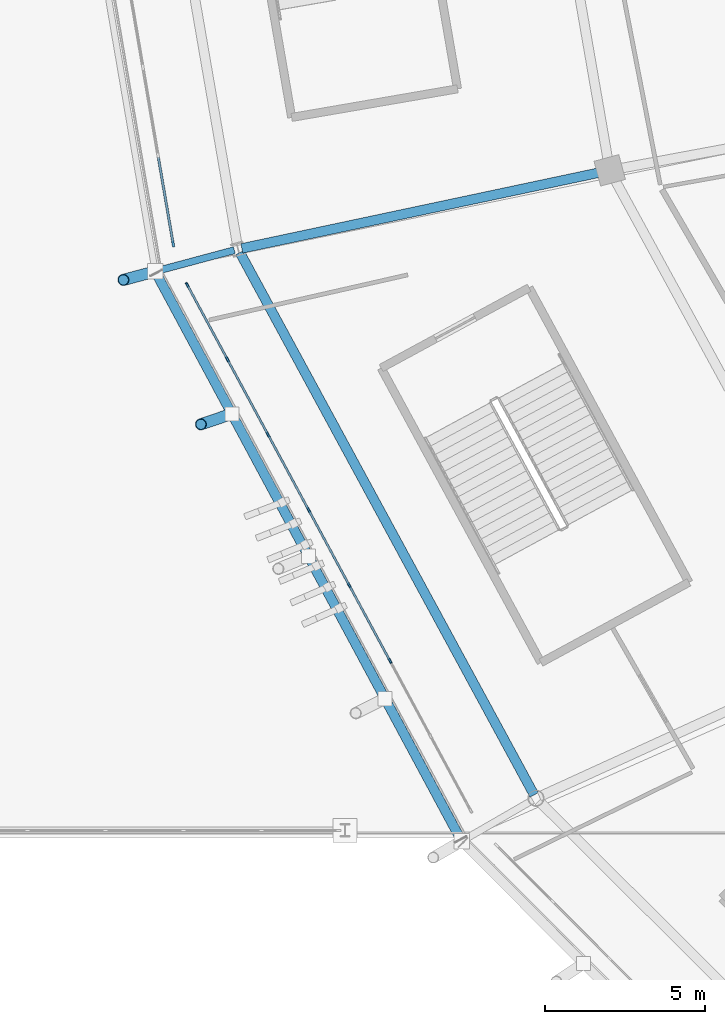
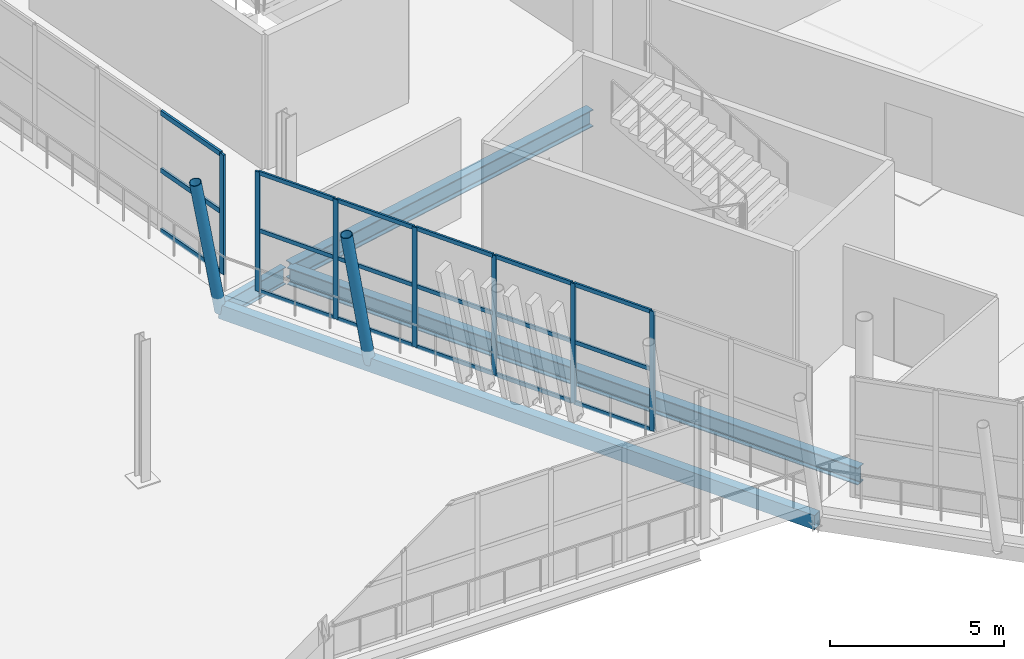
# One storey, part 29 of 179: 27 members, 4 beams, 2 elements without a shape of their own.
"""IFC4 building model written with IfcOpenShell, lengths in metres."""

import ifcopenshell
import ifcopenshell.guid

model = None  # the IFC model being written
_history = None  # IfcOwnerHistory: only IFC2X3 demands one
_inside = {}  # id of a spatial element -> (the spatial element, [elements in it])
_under = {}  # id of a project, library or spatial element -> (it, [spatial elements below it])
_declared = {}  # id of a project -> (the project, [libraries it declares])
_typed = {}  # id of a type object -> (the type object, [elements of that type])
_made_of = {}  # id of a material, layer set ... -> (it, [elements and type objects made of it])


def new_model(schema):
    """Start an empty IFC model of exactly this schema.

    Asked for "IFC4X3", IfcOpenShell would pick the latest addendum, in which some entities
    have other attributes; the version numbers below select the first issue.
    IFC2X3 requires an IfcOwnerHistory on every rooted entity: one is made here for all.
    """
    global model, _history
    if schema == "IFC4X3":
        model = ifcopenshell.file(schema_version=(4, 3, 0, 0))
    else:
        model = ifcopenshell.file(schema=schema)
    _inside.clear()
    _under.clear()
    _declared.clear()
    _typed.clear()
    _made_of.clear()
    _history = None
    if model.schema == "IFC2X3":
        org = make("IfcOrganization", Name="unknown")
        user = make(
            "IfcPersonAndOrganization",
            ThePerson=make("IfcPerson", FamilyName="unknown"),
            TheOrganization=org,
        )
        app = make(
            "IfcApplication",
            ApplicationDeveloper=org,
            Version="unknown",
            ApplicationFullName="unknown",
            ApplicationIdentifier="unknown",
        )
        _history = make(
            "IfcOwnerHistory",
            OwningUser=user,
            OwningApplication=app,
            ChangeAction="ADDED",
            CreationDate=0,
        )
    return model


def make(cls, **values):
    """One entity of the class cls with the attributes given. An attribute that is None is left unset."""
    return model.create_entity(
        cls, **{name: value for name, value in values.items() if value is not None}
    )


def rooted(cls, **values):
    """An entity with a GlobalId (a new one), such as an element, a storey or a relation."""
    return make(cls, GlobalId=ifcopenshell.guid.new(), OwnerHistory=_history, **values)


def si_unit(unit_type, name, prefix=None):
    """IfcSIUnit, for example si_unit("LENGTHUNIT", "METRE", prefix="MILLI")."""
    return make("IfcSIUnit", UnitType=unit_type, Prefix=prefix, Name=name)


def assignment(units):
    """IfcUnitAssignment: the units of a project."""
    return None if units is None else make("IfcUnitAssignment", Units=units)


def point(xyz):
    """IfcCartesianPoint."""
    return None if xyz is None else make("IfcCartesianPoint", Coordinates=xyz)


def direction(xyz):
    """IfcDirection."""
    return None if xyz is None else make("IfcDirection", DirectionRatios=xyz)


def frame(location, z_axis=None, x_axis=None):
    """IfcAxis2Placement3D, a coordinate frame: its origin and axes. An axis left out is left unset."""
    return make(
        "IfcAxis2Placement3D",
        Location=point(location),
        Axis=direction(z_axis),
        RefDirection=direction(x_axis),
    )


def frame_2d(location, x_axis=None):
    """IfcAxis2Placement2D, a coordinate frame in the plane: its origin and x axis."""
    return make(
        "IfcAxis2Placement2D", Location=point(location), RefDirection=direction(x_axis)
    )


def origin():
    """The frame at (0, 0, 0) with its axes left unset."""
    return frame((0.0, 0.0, 0.0))


def origin_2d():
    """The frame at (0, 0) in the plane with its x axis left unset."""
    return frame_2d((0.0, 0.0))


def place(relative_to, where):
    """IfcLocalPlacement: puts the frame where relative to a parent placement (None: the world)."""
    return make(
        "IfcLocalPlacement", PlacementRelTo=relative_to, RelativePlacement=where
    )


def context(
    kind, dimensions, precision=None, world=None, true_north=None, identifier=None
):
    """IfcGeometricRepresentationContext, for example the 3D "Model" context."""
    return make(
        "IfcGeometricRepresentationContext",
        ContextIdentifier=identifier,
        ContextType=kind,
        CoordinateSpaceDimension=dimensions,
        Precision=precision,
        WorldCoordinateSystem=world,
        TrueNorth=true_north,
    )


def subcontext(parent, identifier, kind, view, scale=None):
    """IfcGeometricRepresentationSubContext, for example "Body" below "Model"."""
    return make(
        "IfcGeometricRepresentationSubContext",
        ContextIdentifier=identifier,
        ContextType=kind,
        ParentContext=parent,
        TargetScale=scale,
        TargetView=view,
    )


def project(units=None, contexts=None):
    """IfcProject with its units and contexts."""
    return rooted(
        "IfcProject",
        Name="project",
        RepresentationContexts=contexts,
        UnitsInContext=assignment(units),
    )


def spatial(cls, under=None, at=None, **own):
    """A site, building, storey or space (cls), placed at a placement, below another one or the project."""
    s = rooted(cls, ObjectPlacement=at, **own)
    if under is not None:
        _under.setdefault(under.id(), (under, []))[1].append(s)
    return s


def profile(cls, at=None, kind="AREA", **sizes):
    """A parametric profile (cls). Its sizes go by their IFC names, for example OverallWidth=200.0."""
    return make(cls, ProfileType=kind, Position=at, **sizes)


def rectangle(**sizes):
    """IfcRectangleProfileDef."""
    return profile("IfcRectangleProfileDef", **sizes)


def hollow_rectangle(**sizes):
    """IfcRectangleHollowProfileDef."""
    return profile("IfcRectangleHollowProfileDef", **sizes)


def hollow_circle(**sizes):
    """IfcCircleHollowProfileDef."""
    return profile("IfcCircleHollowProfileDef", **sizes)


def i_section(**sizes):
    """IfcIShapeProfileDef."""
    return profile("IfcIShapeProfileDef", **sizes)


def extrude(swept, where, along, depth):
    """IfcExtrudedAreaSolid: the profile swept, set in the frame where, extruded along a direction by depth."""
    return make(
        "IfcExtrudedAreaSolid",
        SweptArea=swept,
        Position=where,
        ExtrudedDirection=direction(along),
        Depth=depth,
    )


def shape(context_of_items, identifier, shape_type, items):
    """IfcShapeRepresentation: the items that make up one representation, for example the "Body"."""
    return make(
        "IfcShapeRepresentation",
        ContextOfItems=context_of_items,
        RepresentationIdentifier=identifier,
        RepresentationType=shape_type,
        Items=items,
    )


def material(Name=None, Category=None):
    """IfcMaterial."""
    return make("IfcMaterial", Name=Name, Category=Category)


def material_profile(
    of_material, cross_section, Name=None, Category=None, Priority=None
):
    """IfcMaterialProfile: a cross section and its material."""
    return make(
        "IfcMaterialProfile",
        Name=Name,
        Material=of_material,
        Profile=cross_section,
        Priority=Priority,
        Category=Category,
    )


def profile_set(profiles, Name=None, composite=None):
    """IfcMaterialProfileSet."""
    return make(
        "IfcMaterialProfileSet",
        Name=Name,
        MaterialProfiles=profiles,
        CompositeProfile=composite,
    )


def made_of(thing, what):
    """Note that an element or type object is made of a material, layer set ...; save() writes the relation."""
    if what is not None:
        _made_of.setdefault(what.id(), (what, []))[1].append(thing)
    return thing


def type_object(cls, material=None, **own):
    """A type object (cls), such as IfcWallType, which elements share."""
    return made_of(rooted(cls, **own), material)


def element(
    cls,
    number,
    at=None,
    inside=None,
    cuts=None,
    type_object=None,
    material=None,
    context=None,
    identifier="Body",
    shape_type=None,
    held_by="IfcProductDefinitionShape",
    body=None,
    shapes=None,
    **own,
):
    """One element of the class cls, such as IfcWall. Its Tag is "e" and its number.

    at: its placement. inside: the storey or other place that contains it. cuts: it is an
    opening in that element (IfcRelVoidsElement). A single representation is given by context,
    identifier, shape_type and body (its items); several are given by shapes. held_by: the class
    of the entity that holds the representations. save() writes the other relations.
    """
    e = rooted(cls, Tag="e%d" % number, ObjectPlacement=at, **own)
    if body is not None:
        shapes = [shape(context, identifier, shape_type, body)]
    if shapes is not None:
        e.Representation = make(held_by, Representations=shapes)
    if inside is not None:
        _inside.setdefault(inside.id(), (inside, []))[1].append(e)
    if cuts is not None:
        rooted(
            "IfcRelVoidsElement", RelatingBuildingElement=cuts, RelatedOpeningElement=e
        )
    if type_object is not None:
        _typed.setdefault(type_object.id(), (type_object, []))[1].append(e)
    return made_of(e, material)


def aggregate(whole, parts):
    """IfcRelAggregates: a whole, such as a stair, and the parts it consists of."""
    return rooted("IfcRelAggregates", RelatingObject=whole, RelatedObjects=parts)


def save(model, path):
    """Write the relations noted so far, then the file.

    IfcRelAggregates (storeys below a building ...), IfcRelContainedInSpatialStructure (elements
    in a storey), IfcRelDefinesByType, IfcRelAssociatesMaterial and IfcRelDeclares: one each for
    every whole, place, type object, material and project.
    """
    for whole, parts in _under.values():
        aggregate(whole, parts)
    for where, things in _inside.values():
        rooted(
            "IfcRelContainedInSpatialStructure",
            RelatedElements=things,
            RelatingStructure=where,
        )
    for kind, things in _typed.values():
        rooted("IfcRelDefinesByType", RelatedObjects=things, RelatingType=kind)
    for what, things in _made_of.values():
        rooted("IfcRelAssociatesMaterial", RelatedObjects=things, RelatingMaterial=what)
    for by, libraries in _declared.values():
        rooted("IfcRelDeclares", RelatingContext=by, RelatedDefinitions=libraries)
    model.write(path)


model = new_model("IFC4")

# Units and contexts
model_context = context("Model", 3, precision=1e-05, world=origin(), true_north=direction((0.0, 1.0)))
body_context = subcontext(model_context, "Body", "Model", "MODEL_VIEW")
ifc_project = project(units=[si_unit("LENGTHUNIT", "METRE"), si_unit("AREAUNIT", "SQUARE_METRE"), si_unit("VOLUMEUNIT", "CUBIC_METRE"), si_unit("PLANEANGLEUNIT", "RADIAN"), si_unit("MASSUNIT", "GRAM", prefix="KILO")], contexts=[model_context])

# Site, building, storey
site_placement = place(None, origin())
site = spatial("IfcSite", under=ifc_project, at=site_placement, CompositionType="ELEMENT")
building_placement = place(site_placement, origin())
building = spatial("IfcBuilding", under=site, at=building_placement, Name="Zlatoyarsky Gate Stadium", CompositionType="ELEMENT")
storey_placement = place(building_placement, frame((0.0, 0.0, 10.60009765625)))
storey = spatial("IfcBuildingStorey", under=building, at=storey_placement, Name="L02", CompositionType="ELEMENT", Elevation=10.60009765625)

# Curtain wall, members
ifc_material_1 = material(Name="Thermally broken anodised aluminium curtain wall", Category="aluminium")
curtain_wall_type_1 = type_object("IfcCurtainWallType", Name="MONUMENTAL ARCHED GATE GLAZING UPPER", PredefinedType="USERDEFINED", material=ifc_material_1)
curtain_wall_1_placement = place(storey_placement, origin())
curtain_wall_1 = element("IfcCurtainWall", 1, at=curtain_wall_1_placement, inside=storey, type_object=curtain_wall_type_1, Name="Curtain wall CW-L02-12", ObjectType="ARCHED GATE GLAZING", PredefinedType="USERDEFINED")
ifc_material_2 = material(Name="Anodised aluminium 6063-T6", Category="aluminium")
ifc_material_profile_1 = material_profile(ifc_material_2, rectangle(XDim=0.074951171875, YDim=0.18994140625, at=origin_2d()), Name="ALU 75X190")
ifc_profile_set_1 = profile_set([ifc_material_profile_1], Name="Anodised aluminium 6063-T6")
member_type_1 = type_object("IfcMemberType", Name="ALUMINIUM GATE MULLION 75X190", PredefinedType="MULLION", material=ifc_profile_set_1)
member_1_placement = place(storey_placement, frame((19.144287109375, 61.7900390625, 0.0), z_axis=(0.0, 0.0, 1.0), x_axis=(0.985636901617, 0.168878353177, 0.0)))
member_1 = element("IfcMember", 2, at=member_1_placement, type_object=member_type_1, Name="CW-AG2 mullion 6", PredefinedType="MULLION", context=body_context, shape_type="SweptSolid", body=[
    extrude(rectangle(XDim=0.074951171875, YDim=0.18994140625, at=origin_2d()), origin(), (0.0, 0.0, 1.0), 4.199951171875),
])
ifc_material_profile_2 = material_profile(ifc_material_2, rectangle(XDim=0.074951171875, YDim=0.169921875, at=origin_2d()), Name="ALU 75X170")
ifc_profile_set_2 = profile_set([ifc_material_profile_2], Name="Anodised aluminium 6063-T6")
member_type_2 = type_object("IfcMemberType", Name="ALUMINIUM GATE TRANSOM 75X170", PredefinedType="USERDEFINED", material=ifc_profile_set_2)
member_2_placement = place(storey_placement, frame((18.681884765625, 64.48828125, 0.037353515625), z_axis=(0.16889856551, -0.985633438236, 0.0), x_axis=(0.985633438236, 0.16889856551, 0.0)))
member_2 = element("IfcMember", 3, at=member_2_placement, type_object=member_type_2, Name="CW-AG2 transom 5.1", ObjectType="TRANSOM", PredefinedType="USERDEFINED", context=body_context, shape_type="SweptSolid", body=[
    extrude(rectangle(XDim=0.074951171875, YDim=0.169921875, at=origin_2d()), origin(), (0.0, 0.0, 1.0), 2.7001953125),
])
member_3_placement = place(storey_placement, frame((18.681884765625, 64.48828125, 2.14990234375), z_axis=(0.16889856551, -0.985633438236, 0.0), x_axis=(0.985633438236, 0.16889856551, 0.0)))
member_3 = element("IfcMember", 4, at=member_3_placement, type_object=member_type_2, Name="CW-AG2 transom 5.2", ObjectType="TRANSOM", PredefinedType="USERDEFINED", context=body_context, shape_type="SweptSolid", body=[
    extrude(rectangle(XDim=0.074951171875, YDim=0.169921875, at=origin_2d()), origin(), (0.0, 0.0, 1.0), 2.7001953125),
])
member_4_placement = place(storey_placement, frame((18.681884765625, 64.48828125, 4.162353515625), z_axis=(0.16889856551, -0.985633438236, 0.0), x_axis=(0.985633438236, 0.16889856551, 0.0)))
member_4 = element("IfcMember", 5, at=member_4_placement, type_object=member_type_2, Name="CW-AG2 transom 5.3", ObjectType="TRANSOM", PredefinedType="USERDEFINED", context=body_context, shape_type="SweptSolid", body=[
    extrude(rectangle(XDim=0.074951171875, YDim=0.169921875, at=origin_2d()), origin(), (0.0, 0.0, 1.0), 2.7001953125),
])
aggregate(curtain_wall_1, [member_1, member_2, member_3, member_4])

curtain_wall_type_2 = type_object("IfcCurtainWallType", Name="UNITISED HOSPITALITY GLAZING L02", PredefinedType="USERDEFINED", material=ifc_material_1)
curtain_wall_2_placement = place(storey_placement, origin())
curtain_wall_2 = element("IfcCurtainWall", 6, at=curtain_wall_2_placement, inside=storey, type_object=curtain_wall_type_2, Name="Curtain wall CW-L02-13", ObjectType="UNITISED GLAZING", PredefinedType="USERDEFINED")
ifc_material_profile_3 = material_profile(ifc_material_2, rectangle(XDim=0.06494140625, YDim=0.159912109375, at=origin_2d()), Name="ALU 65X160")
ifc_profile_set_3 = profile_set([ifc_material_profile_3], Name="Anodised aluminium 6063-T6")
member_type_3 = type_object("IfcMemberType", Name="ALUMINIUM MULLION 65X160", PredefinedType="MULLION", material=ifc_profile_set_3)
member_5_placement = place(storey_placement, frame((19.584228515625, 60.511474609375, 0.0), z_axis=(0.0, 0.0, 1.0), x_axis=(0.880235853856, 0.474536449165, 0.0)))
member_5 = element("IfcMember", 7, at=member_5_placement, type_object=member_type_3, Name="CW-UG2 mullion 1", PredefinedType="MULLION", context=body_context, shape_type="SweptSolid", body=[
    extrude(rectangle(XDim=0.06494140625, YDim=0.159912109375, at=origin_2d()), origin(), (0.0, 0.0, 1.0), 4.199951171875),
])
member_6_placement = place(storey_placement, frame((20.8359375, 58.189453125, 0.0), z_axis=(0.0, 0.0, 1.0), x_axis=(0.880235853856, 0.474536449165, 0.0)))
member_6 = element("IfcMember", 8, at=member_6_placement, type_object=member_type_3, Name="CW-UG2 mullion 2", PredefinedType="MULLION", context=body_context, shape_type="SweptSolid", body=[
    extrude(rectangle(XDim=0.06494140625, YDim=0.159912109375, at=origin_2d()), origin(), (0.0, 0.0, 1.0), 4.199951171875),
])
member_7_placement = place(storey_placement, frame((22.103271484375, 55.838623046875, 0.0), z_axis=(0.0, 0.0, 1.0), x_axis=(0.880235853856, 0.474536449165, 0.0)))
member_7 = element("IfcMember", 9, at=member_7_placement, type_object=member_type_3, Name="CW-UG2 mullion 3", PredefinedType="MULLION", context=body_context, shape_type="SweptSolid", body=[
    extrude(rectangle(XDim=0.06494140625, YDim=0.159912109375, at=origin_2d()), origin(), (0.0, 0.0, 1.0), 4.199951171875),
])
member_8_placement = place(storey_placement, frame((23.370849609375, 53.48779296875, 0.0), z_axis=(0.0, 0.0, 1.0), x_axis=(0.880235853856, 0.474536449165, 0.0)))
member_8 = element("IfcMember", 10, at=member_8_placement, type_object=member_type_3, Name="CW-UG2 mullion 4", PredefinedType="MULLION", context=body_context, shape_type="SweptSolid", body=[
    extrude(rectangle(XDim=0.06494140625, YDim=0.159912109375, at=origin_2d()), origin(), (0.0, 0.0, 1.0), 4.199951171875),
])
member_9_placement = place(storey_placement, frame((24.63818359375, 51.13671875, 0.0), z_axis=(0.0, 0.0, 1.0), x_axis=(0.880235853856, 0.474536449165, 0.0)))
member_9 = element("IfcMember", 11, at=member_9_placement, type_object=member_type_3, Name="CW-UG2 mullion 5", PredefinedType="MULLION", context=body_context, shape_type="SweptSolid", body=[
    extrude(rectangle(XDim=0.06494140625, YDim=0.159912109375, at=origin_2d()), origin(), (0.0, 0.0, 1.0), 4.199951171875),
])
member_10_placement = place(storey_placement, frame((25.905517578125, 48.785888671875, 0.0), z_axis=(0.0, 0.0, 1.0), x_axis=(0.880235853856, 0.474536449165, 0.0)))
member_10 = element("IfcMember", 12, at=member_10_placement, type_object=member_type_3, Name="CW-UG2 mullion 6", PredefinedType="MULLION", context=body_context, shape_type="SweptSolid", body=[
    extrude(rectangle(XDim=0.06494140625, YDim=0.159912109375, at=origin_2d()), origin(), (0.0, 0.0, 1.0), 4.199951171875),
])
ifc_material_profile_4 = material_profile(ifc_material_2, rectangle(XDim=0.06494140625, YDim=0.139892578125, at=origin_2d()), Name="ALU 65X140")
ifc_profile_set_4 = profile_set([ifc_material_profile_4], Name="Anodised aluminium 6063-T6")
member_type_4 = type_object("IfcMemberType", Name="ALUMINIUM TRANSOM 65X140", PredefinedType="USERDEFINED", material=ifc_profile_set_4)
member_11_placement = place(storey_placement, frame((19.599609375, 60.48291015625, 0.032470703125), z_axis=(0.474518480893, -0.880245540341, 0.0), x_axis=(0.880245540341, 0.474518480893, 0.0)))
member_11 = element("IfcMember", 13, at=member_11_placement, type_object=member_type_4, Name="CW-UG2 transom 1.1", ObjectType="TRANSOM", PredefinedType="USERDEFINED", context=body_context, shape_type="SweptSolid", body=[
    extrude(rectangle(XDim=0.06494140625, YDim=0.139892578125, at=origin_2d()), origin(), (0.0, 0.0, 1.0), 2.572998046875),
])
member_12_placement = place(storey_placement, frame((19.599609375, 60.48291015625, 2.14990234375), z_axis=(0.474518480893, -0.880245540341, 0.0), x_axis=(0.880245540341, 0.474518480893, 0.0)))
member_12 = element("IfcMember", 14, at=member_12_placement, type_object=member_type_4, Name="CW-UG2 transom 1.2", ObjectType="TRANSOM", PredefinedType="USERDEFINED", context=body_context, shape_type="SweptSolid", body=[
    extrude(rectangle(XDim=0.06494140625, YDim=0.139892578125, at=origin_2d()), origin(), (0.0, 0.0, 1.0), 2.572998046875),
])
member_13_placement = place(storey_placement, frame((19.599609375, 60.48291015625, 4.16748046875), z_axis=(0.474518480893, -0.880245540341, 0.0), x_axis=(0.880245540341, 0.474518480893, 0.0)))
member_13 = element("IfcMember", 15, at=member_13_placement, type_object=member_type_4, Name="CW-UG2 transom 1.3", ObjectType="TRANSOM", PredefinedType="USERDEFINED", context=body_context, shape_type="SweptSolid", body=[
    extrude(rectangle(XDim=0.06494140625, YDim=0.139892578125, at=origin_2d()), origin(), (0.0, 0.0, 1.0), 2.572998046875),
])
member_14_placement = place(storey_placement, frame((20.8515625, 58.16064453125, 0.032470703125), z_axis=(0.47451326859, -0.880248350145, 0.0), x_axis=(0.880248350145, 0.47451326859, 0.0)))
member_14 = element("IfcMember", 16, at=member_14_placement, type_object=member_type_4, Name="CW-UG2 transom 2.1", ObjectType="TRANSOM", PredefinedType="USERDEFINED", context=body_context, shape_type="SweptSolid", body=[
    extrude(rectangle(XDim=0.06494140625, YDim=0.139892578125, at=origin_2d()), origin(), (0.0, 0.0, 1.0), 2.60546875),
])
member_15_placement = place(storey_placement, frame((20.8515625, 58.16064453125, 2.14990234375), z_axis=(0.47451326859, -0.880248350145, 0.0), x_axis=(0.880248350145, 0.47451326859, 0.0)))
member_15 = element("IfcMember", 17, at=member_15_placement, type_object=member_type_4, Name="CW-UG2 transom 2.2", ObjectType="TRANSOM", PredefinedType="USERDEFINED", context=body_context, shape_type="SweptSolid", body=[
    extrude(rectangle(XDim=0.06494140625, YDim=0.139892578125, at=origin_2d()), origin(), (0.0, 0.0, 1.0), 2.60546875),
])
member_16_placement = place(storey_placement, frame((20.8515625, 58.16064453125, 4.16748046875), z_axis=(0.47451326859, -0.880248350145, 0.0), x_axis=(0.880248350145, 0.47451326859, 0.0)))
member_16 = element("IfcMember", 18, at=member_16_placement, type_object=member_type_4, Name="CW-UG2 transom 2.3", ObjectType="TRANSOM", PredefinedType="USERDEFINED", context=body_context, shape_type="SweptSolid", body=[
    extrude(rectangle(XDim=0.06494140625, YDim=0.139892578125, at=origin_2d()), origin(), (0.0, 0.0, 1.0), 2.60546875),
])
member_17_placement = place(storey_placement, frame((22.118896484375, 55.809814453125, 0.032470703125), z_axis=(0.47451326859, -0.880248350145, 0.0), x_axis=(0.880248350145, 0.47451326859, 0.0)))
member_17 = element("IfcMember", 19, at=member_17_placement, type_object=member_type_4, Name="CW-UG2 transom 3.1", ObjectType="TRANSOM", PredefinedType="USERDEFINED", context=body_context, shape_type="SweptSolid", body=[
    extrude(rectangle(XDim=0.06494140625, YDim=0.139892578125, at=origin_2d()), origin(), (0.0, 0.0, 1.0), 2.60546875),
])
member_18_placement = place(storey_placement, frame((22.118896484375, 55.809814453125, 2.14990234375), z_axis=(0.47451326859, -0.880248350145, 0.0), x_axis=(0.880248350145, 0.47451326859, 0.0)))
member_18 = element("IfcMember", 20, at=member_18_placement, type_object=member_type_4, Name="CW-UG2 transom 3.2", ObjectType="TRANSOM", PredefinedType="USERDEFINED", context=body_context, shape_type="SweptSolid", body=[
    extrude(rectangle(XDim=0.06494140625, YDim=0.139892578125, at=origin_2d()), origin(), (0.0, 0.0, 1.0), 2.60546875),
])
member_19_placement = place(storey_placement, frame((22.118896484375, 55.809814453125, 4.16748046875), z_axis=(0.47451326859, -0.880248350145, 0.0), x_axis=(0.880248350145, 0.47451326859, 0.0)))
member_19 = element("IfcMember", 21, at=member_19_placement, type_object=member_type_4, Name="CW-UG2 transom 3.3", ObjectType="TRANSOM", PredefinedType="USERDEFINED", context=body_context, shape_type="SweptSolid", body=[
    extrude(rectangle(XDim=0.06494140625, YDim=0.139892578125, at=origin_2d()), origin(), (0.0, 0.0, 1.0), 2.60546875),
])
member_20_placement = place(storey_placement, frame((23.38623046875, 53.458984375, 0.032470703125), z_axis=(0.47451326859, -0.880248350145, 0.0), x_axis=(0.880248350145, 0.47451326859, 0.0)))
member_20 = element("IfcMember", 22, at=member_20_placement, type_object=member_type_4, Name="CW-UG2 transom 4.1", ObjectType="TRANSOM", PredefinedType="USERDEFINED", context=body_context, shape_type="SweptSolid", body=[
    extrude(rectangle(XDim=0.06494140625, YDim=0.139892578125, at=origin_2d()), origin(), (0.0, 0.0, 1.0), 2.60546875),
])
member_21_placement = place(storey_placement, frame((23.38623046875, 53.458984375, 2.14990234375), z_axis=(0.47451326859, -0.880248350145, 0.0), x_axis=(0.880248350145, 0.47451326859, 0.0)))
member_21 = element("IfcMember", 23, at=member_21_placement, type_object=member_type_4, Name="CW-UG2 transom 4.2", ObjectType="TRANSOM", PredefinedType="USERDEFINED", context=body_context, shape_type="SweptSolid", body=[
    extrude(rectangle(XDim=0.06494140625, YDim=0.139892578125, at=origin_2d()), origin(), (0.0, 0.0, 1.0), 2.60546875),
])
member_22_placement = place(storey_placement, frame((23.38623046875, 53.458984375, 4.16748046875), z_axis=(0.47451326859, -0.880248350145, 0.0), x_axis=(0.880248350145, 0.47451326859, 0.0)))
member_22 = element("IfcMember", 24, at=member_22_placement, type_object=member_type_4, Name="CW-UG2 transom 4.3", ObjectType="TRANSOM", PredefinedType="USERDEFINED", context=body_context, shape_type="SweptSolid", body=[
    extrude(rectangle(XDim=0.06494140625, YDim=0.139892578125, at=origin_2d()), origin(), (0.0, 0.0, 1.0), 2.60546875),
])
member_23_placement = place(storey_placement, frame((24.653564453125, 51.108154296875, 0.032470703125), z_axis=(0.47451326859, -0.880248350145, 0.0), x_axis=(0.880248350145, 0.47451326859, 0.0)))
member_23 = element("IfcMember", 25, at=member_23_placement, type_object=member_type_4, Name="CW-UG2 transom 5.1", ObjectType="TRANSOM", PredefinedType="USERDEFINED", context=body_context, shape_type="SweptSolid", body=[
    extrude(rectangle(XDim=0.06494140625, YDim=0.139892578125, at=origin_2d()), origin(), (0.0, 0.0, 1.0), 2.60546875),
])
member_24_placement = place(storey_placement, frame((24.653564453125, 51.108154296875, 2.14990234375), z_axis=(0.47451326859, -0.880248350145, 0.0), x_axis=(0.880248350145, 0.47451326859, 0.0)))
member_24 = element("IfcMember", 26, at=member_24_placement, type_object=member_type_4, Name="CW-UG2 transom 5.2", ObjectType="TRANSOM", PredefinedType="USERDEFINED", context=body_context, shape_type="SweptSolid", body=[
    extrude(rectangle(XDim=0.06494140625, YDim=0.139892578125, at=origin_2d()), origin(), (0.0, 0.0, 1.0), 2.60546875),
])
member_25_placement = place(storey_placement, frame((24.653564453125, 51.108154296875, 4.16748046875), z_axis=(0.47451326859, -0.880248350145, 0.0), x_axis=(0.880248350145, 0.47451326859, 0.0)))
member_25 = element("IfcMember", 27, at=member_25_placement, type_object=member_type_4, Name="CW-UG2 transom 5.3", ObjectType="TRANSOM", PredefinedType="USERDEFINED", context=body_context, shape_type="SweptSolid", body=[
    extrude(rectangle(XDim=0.06494140625, YDim=0.139892578125, at=origin_2d()), origin(), (0.0, 0.0, 1.0), 2.60546875),
])
aggregate(curtain_wall_2, [member_5, member_6, member_7, member_8, member_9, member_10, member_11, member_12, member_13, member_14, member_15, member_16, member_17, member_18, member_19, member_20, member_21, member_22, member_23, member_24, member_25])

# Beam
ifc_material_3 = material(Name="Steel S355", Category="steel")
ifc_material_profile_5 = material_profile(ifc_material_3, i_section(OverallWidth=0.219970703125, OverallDepth=0.60009765625, WebThickness=0.011962890625, FlangeThickness=0.01904296875, FilletRadius=0.02392578125, at=origin_2d()), Name="IPE 600")
ifc_profile_set_5 = profile_set([ifc_material_profile_5], Name="Steel S355")
beam_type_1 = type_object("IfcBeamType", Name="STEEL CANTILEVER FLOOR BEAM IPE 600", PredefinedType="BEAM", material=ifc_profile_set_5)
beam_1_placement = place(storey_placement, frame((21.052978515625, 61.5927734375, -0.580078125), z_axis=(-0.965937819088, -0.258774283219, 0.0), x_axis=(0.258774283219, -0.965937819088, 0.0)))
element("IfcBeam", 28, at=beam_1_placement, inside=storey, type_object=beam_type_1, Name="Beam B-IPE600 BM-L02-OUT-13", PredefinedType="BEAM", context=body_context, shape_type="SweptSolid", body=[
    extrude(i_section(OverallWidth=0.219970703125, OverallDepth=0.60009765625, WebThickness=0.011962890625, FlangeThickness=0.01904296875, FilletRadius=0.02392578125, at=origin_2d()), origin(), (0.0, 0.0, 1.0), 2.555908203125),
])

# Members
ifc_material_profile_6 = material_profile(ifc_material_3, hollow_circle(Radius=0.177734375, WallThickness=0.02001953125, at=origin_2d()), Name="CHS 355.6X20")
ifc_profile_set_6 = profile_set([ifc_material_profile_6], Name="Steel S355")
member_type_5 = type_object("IfcMemberType", Name="STEEL LEANING RIB RING STRUT CHS 355.6X20", PredefinedType="STRUT", material=ifc_profile_set_6)
member_26_placement = place(storey_placement, frame((18.584228515625, 60.931396484375, -0.580078125), z_axis=(-0.194239964978, -0.052087496149, 0.979570175511), x_axis=(0.259009511327, -0.96587477089, 0.0)))
element("IfcMember", 29, at=member_26_placement, inside=storey, type_object=member_type_5, Name="Leaning ring strut 13 L02 to L03", PredefinedType="STRUT", context=body_context, shape_type="SweptSolid", body=[
    extrude(hollow_circle(Radius=0.177734375, WallThickness=0.02001953125, at=origin_2d()), origin(), (0.0, 0.0, 1.0), 5.104248046875),
])
member_27_placement = place(storey_placement, frame((20.9736328125, 56.489013671875, -0.530029296875), z_axis=(-0.189220720591, -0.064205867771, 0.979833213074), x_axis=(0.321323184464, -0.946969593559, 0.0)))
element("IfcMember", 30, at=member_27_placement, inside=storey, type_object=member_type_5, Name="Outward-leaning bowl louvre fin rib L02 13-1", PredefinedType="STRUT", context=body_context, shape_type="SweptSolid", body=[
    extrude(hollow_circle(Radius=0.177734375, WallThickness=0.02001953125, at=origin_2d()), origin(), (0.0, 0.0, 1.0), 5.10302734375),
])

# Beams
ifc_material_profile_7 = material_profile(ifc_material_3, hollow_rectangle(XDim=0.300048828125, YDim=0.5, WallThickness=0.02001953125, at=origin_2d()), Name="RHS 500X300X20")
ifc_profile_set_7 = profile_set([ifc_material_profile_7], Name="Steel S355")
beam_type_2 = type_object("IfcBeamType", Name="STEEL LOUVRE CARRIER SPANDREL RHS 500X300X20", PredefinedType="SPANDREL", material=ifc_profile_set_7)
beam_2_placement = place(storey_placement, frame((18.59375, 60.913818359375, -0.530029296875), z_axis=(0.473711528738, -0.880680071048, 0.0), x_axis=(0.880680071048, 0.473711528738, 0.0)))
element("IfcBeam", 31, at=beam_2_placement, inside=storey, type_object=beam_type_2, Name="Beam SP-RHS500 BM-L02-SPD-13", PredefinedType="SPANDREL", context=body_context, shape_type="SweptSolid", body=[
    extrude(hollow_rectangle(XDim=0.300048828125, YDim=0.5, WallThickness=0.02001953125, at=origin_2d()), origin(), (0.0, 0.0, 1.0), 20.136962890625),
])
ifc_material_profile_8 = material_profile(ifc_material_3, i_section(OverallWidth=0.300048828125, OverallDepth=0.60009765625, WebThickness=0.015380859375, FlangeThickness=0.030029296875, FilletRadius=0.027099609375, at=origin_2d()), Name="HEB 600")
ifc_profile_set_8 = profile_set([ifc_material_profile_8], Name="Steel S355")
beam_type_3 = type_object("IfcBeamType", Name="STEEL PRIMARY GIRDER HEB 600", PredefinedType="BEAM", material=ifc_profile_set_8)
beam_3_placement = place(storey_placement, frame((32.642578125, 64.0576171875, -0.580078125), z_axis=(-0.978233348926, -0.207507867438, 0.0), x_axis=(0.207507867438, -0.978233348926, 0.0)))
element("IfcBeam", 32, at=beam_3_placement, inside=storey, type_object=beam_type_3, Name="Beam G-HEB600 BM-L02-RBC-13", PredefinedType="BEAM", context=body_context, shape_type="SweptSolid", body=[
    extrude(i_section(OverallWidth=0.300048828125, OverallDepth=0.60009765625, WebThickness=0.015380859375, FlangeThickness=0.030029296875, FilletRadius=0.027099609375, at=origin_2d()), origin(), (0.0, 0.0, 1.0), 11.60888671875),
])
beam_4_placement = place(storey_placement, frame((21.22607421875, 61.518310546875, -0.580078125), z_axis=(0.476891650323, -0.878962088973, 0.0), x_axis=(0.878962088973, 0.476891650323, 0.0)))
element("IfcBeam", 33, at=beam_4_placement, inside=storey, type_object=beam_type_3, Name="Beam G-HEB600 BM-L02-CRC-13", PredefinedType="BEAM", context=body_context, shape_type="SweptSolid", body=[
    extrude(i_section(OverallWidth=0.300048828125, OverallDepth=0.60009765625, WebThickness=0.015380859375, FlangeThickness=0.030029296875, FilletRadius=0.027099609375, at=origin_2d()), origin(), (0.0, 0.0, 1.0), 19.241943359375),
])

save(model, "model.ifc")
